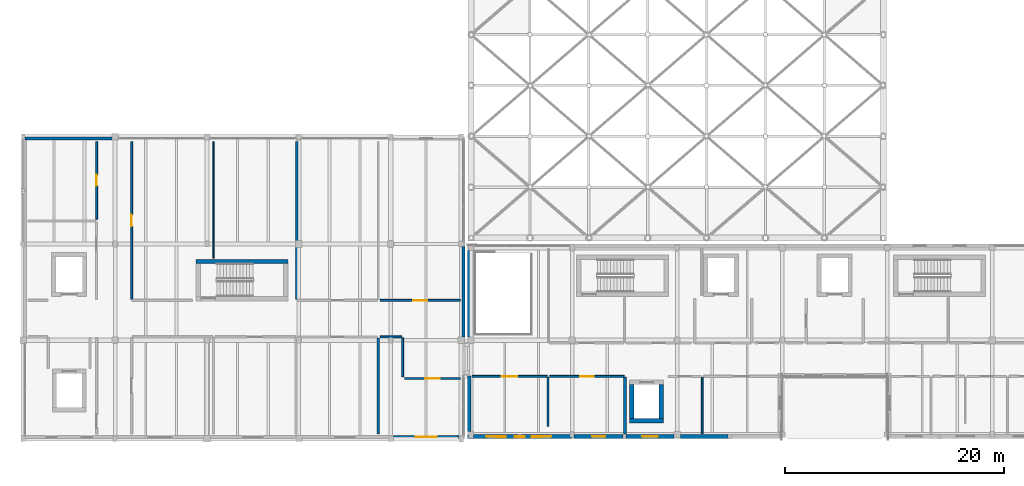
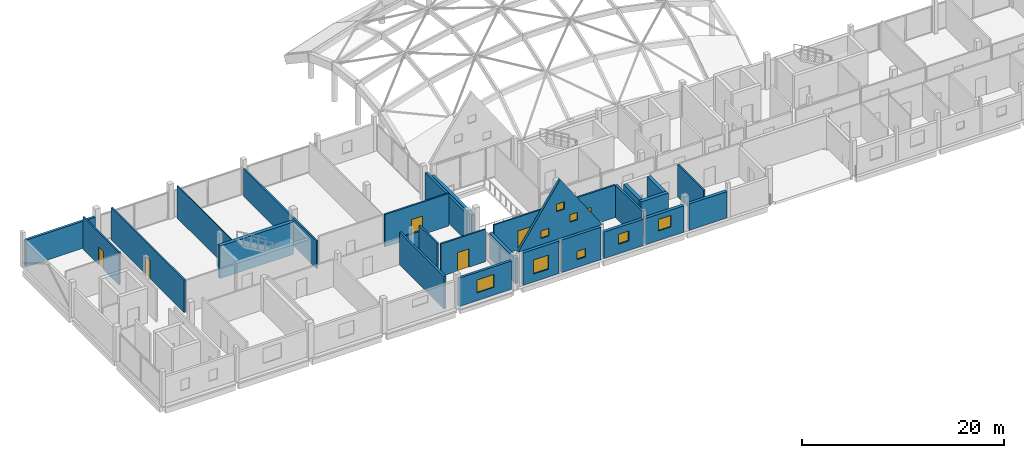
# One storey, part 24 of 41: 29 walls, 8 windows, 6 doors, 14 openings.
"""IFC4 building model written with IfcOpenShell, lengths in metres."""

from ifc_helpers import new_model, si_unit, direction, frame, frame_2d, origin, place, context, subcontext, project, spatial, polyline, rectangle, outline, extrude, material, layer, layer_set, type_object, element, fill, save


model = new_model("IFC4")

# Units and contexts
model_context = context("Model", 3, precision=1e-05, world=origin(), true_north=direction((0.0, 1.0)))
body_context = subcontext(model_context, "Body", "Model", "MODEL_VIEW")
ifc_project = project(units=[si_unit("LENGTHUNIT", "METRE"), si_unit("AREAUNIT", "SQUARE_METRE"), si_unit("VOLUMEUNIT", "CUBIC_METRE"), si_unit("PLANEANGLEUNIT", "RADIAN"), si_unit("MASSUNIT", "GRAM", prefix="KILO")], contexts=[model_context])

# Site, building, storey
site_placement = place(None, origin())
site = spatial("IfcSite", under=ifc_project, at=site_placement, CompositionType="ELEMENT")
building_placement = place(site_placement, origin())
building = spatial("IfcBuilding", under=site, at=building_placement, Name="Birchvale Park Specialist Clinic", CompositionType="ELEMENT")
storey_placement = place(building_placement, frame((0.0, 0.0, 9.60009765625)))
storey = spatial("IfcBuildingStorey", under=building, at=storey_placement, Name="L02", CompositionType="ELEMENT", Elevation=9.60009765625)

# Walls
ifc_material_1 = material(Name="Concrete C40/50", Category="concrete")
ifc_layer_1 = layer(ifc_material_1, 0.39990234375)
ifc_layer_set_1 = layer_set([ifc_layer_1], Name="Concrete C40/50")
wall_type_1 = type_object("IfcWallType", Name="WL-CW-120", PredefinedType="SHEAR", material=ifc_layer_set_1)
wall_1_placement = place(storey_placement, frame((35.39990234375, 33.0, 0.0), z_axis=(0.0, 0.0, 1.0), x_axis=(-1.0, 0.0, 0.0)))
element("IfcWall", 1, at=wall_1_placement, inside=storey, type_object=wall_type_1, Name="L02 stair ST2 EI 120 enclosure wall (north)", PredefinedType="SHEAR", context=body_context, shape_type="SweptSolid", body=[
    extrude(rectangle(XDim=8.39990234375, YDim=0.39990234375, at=frame_2d((4.199951171875, 0.0))), origin(), (0.0, 0.0, 1.0), 3.919921875),
])
for number, where, z_axis, x_axis, name in (
    (2, (66.64990234375, 18.449951171875, 0.0), (0.0, 0.0, 1.0), (1.0, 0.0, 0.0), "L02 lift LP1 shaft wall (south)"),
    (3, (66.85009765625, 18.64990234375, 0.0), (0.0, 0.0, 1.0), (0.0, 1.0, 0.0), "L02 lift LP1 shaft wall (west)"),
    (4, (69.550048828125, 21.75, 0.0), (0.0, 0.0, 1.0), (0.0, -1.0, 0.0), "L02 lift LP1 shaft wall (east)"),
):
    element("IfcWall", number, at=place(storey_placement, frame(where, z_axis=z_axis, x_axis=x_axis)), inside=storey, type_object=wall_type_1, Name=name, PredefinedType="SHEAR", context=body_context, shape_type="SweptSolid", body=[
        extrude(rectangle(XDim=3.10009765625, YDim=0.39990234375, at=frame_2d((1.550048828125, 0.0))), origin(), (0.0, 0.0, 1.0), 4.199951171875),
    ])

# Wall, opening, window
ifc_material_2 = material(Name="Lime-white mineral-rendered insulated masonry", Category="masonry")
ifc_layer_2 = layer(ifc_material_2, 0.340087890625)
ifc_layer_set_2 = layer_set([ifc_layer_2], Name="Lime-white mineral-rendered insulated masonry")
wall_type_2 = type_object("IfcWallType", Name="WL-EW-01", PredefinedType="STANDARD", material=ifc_layer_set_2)
wall_2_placement = place(storey_placement, frame((52.35498046875, 16.989990234375, 0.0), z_axis=(0.0, 0.0, 1.0), x_axis=(1.0, 0.0, 0.0)))
wall_2 = element("IfcWall", 5, at=wall_2_placement, inside=storey, type_object=wall_type_2, Name="V4 L02 exterior facade wall 189", PredefinedType="STANDARD", context=body_context, shape_type="SweptSolid", body=[
    extrude(rectangle(XDim=4.090087890625, YDim=0.340087890625, at=frame_2d((2.044921875, 0.0))), origin(), (0.0, 0.0, 1.0), 3.919921875),
])
opening_1_placement = place(wall_2_placement, frame((1.195068359375, 0.0, 0.949951171875)))
opening_1 = element("IfcOpeningElement", 6, at=opening_1_placement, cuts=wall_2, Name="Opening W-SQ17", PredefinedType="OPENING", context=body_context, shape_type="SweptSolid", body=[
    extrude(rectangle(XDim=1.699951171875, YDim=1.699951171875, at=frame_2d((0.85009765625, 0.85009765625))), frame((0.0, 0.18017578125, 0.0), z_axis=(0.0, -1.0, 0.0), x_axis=(1.0, 0.0, 0.0)), (0.0, 0.0, 1.0), 0.360107421875),
])
ifc_material_3 = material(Name="Solar-control low-E double glazing", Category="glass")
window_type_1 = type_object("IfcWindowType", Name="WIN-W-SQ17", PartitioningType="SINGLE_PANEL", PredefinedType="WINDOW", material=ifc_material_3)
window_1_placement = place(opening_1_placement, origin())
window_1 = element("IfcWindow", 7, at=window_1_placement, inside=storey, type_object=window_type_1, Name="V4 L02 cased window 64", OverallHeight=1.699951171875, OverallWidth=1.699951171875, PartitioningType="SINGLE_PANEL", PredefinedType="WINDOW", context=body_context, shape_type="SweptSolid", body=[
    extrude(rectangle(XDim=1.699951171875, YDim=1.699951171875, at=frame_2d((0.85009765625, 0.85009765625))), frame((0.0, 0.030029296875, 0.0), z_axis=(0.0, -1.0, 0.0), x_axis=(1.0, 0.0, 0.0)), (0.0, 0.0, 1.0), 0.06005859375),
])
fill(opening_1, window_1)

wall_3_placement = place(storey_placement, frame((56.7548828125, 16.989990234375, 0.0), z_axis=(0.0, 0.0, 1.0), x_axis=(1.0, 0.0, 0.0)))
wall_3 = element("IfcWall", 8, at=wall_3_placement, inside=storey, type_object=wall_type_2, Name="V4 L02 exterior facade wall 190", PredefinedType="STANDARD", context=body_context, shape_type="SweptSolid", body=[
    extrude(rectangle(XDim=4.465087890625, YDim=0.340087890625, at=frame_2d((2.232421875, 0.0))), origin(), (0.0, 0.0, 1.0), 3.919921875),
])
opening_2_placement = place(wall_3_placement, frame((1.732421875, 0.0, 0.949951171875)))
opening_2 = element("IfcOpeningElement", 9, at=opening_2_placement, cuts=wall_3, Name="Opening W-SQ10", PredefinedType="OPENING", context=body_context, shape_type="SweptSolid", body=[
    extrude(rectangle(XDim=1.0, YDim=1.0, at=frame_2d((0.5, 0.5))), frame((0.0, 0.18017578125, 0.0), z_axis=(0.0, -1.0, 0.0), x_axis=(1.0, 0.0, 0.0)), (0.0, 0.0, 1.0), 0.360107421875),
])
window_type_2 = type_object("IfcWindowType", Name="WIN-W-SQ10", PartitioningType="SINGLE_PANEL", PredefinedType="WINDOW", material=ifc_material_3)
window_2_placement = place(opening_2_placement, origin())
window_2 = element("IfcWindow", 10, at=window_2_placement, inside=storey, type_object=window_type_2, Name="V4 L02 cased window 65", OverallHeight=1.0, OverallWidth=1.0, PartitioningType="SINGLE_PANEL", PredefinedType="WINDOW", context=body_context, shape_type="SweptSolid", body=[
    extrude(rectangle(XDim=1.0, YDim=1.0, at=frame_2d((0.5, 0.5))), frame((0.0, 0.030029296875, 0.0), z_axis=(0.0, -1.0, 0.0), x_axis=(1.0, 0.0, 0.0)), (0.0, 0.0, 1.0), 0.06005859375),
])
fill(opening_2, window_2)

wall_4_placement = place(storey_placement, frame((61.580078125, 16.989990234375, 0.0), z_axis=(0.0, 0.0, 1.0), x_axis=(1.0, 0.0, 0.0)))
wall_4 = element("IfcWall", 11, at=wall_4_placement, inside=storey, type_object=wall_type_2, Name="V4 L02 exterior facade wall 191", PredefinedType="STANDARD", context=body_context, shape_type="SweptSolid", body=[
    extrude(rectangle(XDim=4.48486328125, YDim=0.340087890625, at=frame_2d((2.242431640625, 0.0))), origin(), (0.0, 0.0, 1.0), 3.184814453125),
])
opening_3_placement = place(wall_4_placement, frame((1.642578125, 0.0, 1.14990234375)))
opening_3 = element("IfcOpeningElement", 12, at=opening_3_placement, cuts=wall_4, Name="Opening W-SQ12", PredefinedType="OPENING", context=body_context, shape_type="SweptSolid", body=[
    extrude(rectangle(XDim=1.199951171875, YDim=1.199951171875, at=frame_2d((0.60009765625, 0.60009765625))), frame((0.0, 0.18017578125, 0.0), z_axis=(0.0, -1.0, 0.0), x_axis=(1.0, 0.0, 0.0)), (0.0, 0.0, 1.0), 0.360107421875),
])
window_type_3 = type_object("IfcWindowType", Name="WIN-W-SQ12", PartitioningType="SINGLE_PANEL", PredefinedType="WINDOW", material=ifc_material_3)
window_3_placement = place(opening_3_placement, origin())
window_3 = element("IfcWindow", 13, at=window_3_placement, inside=storey, type_object=window_type_3, Name="V4 L02 cased window 66", OverallHeight=1.199951171875, OverallWidth=1.199951171875, PartitioningType="SINGLE_PANEL", PredefinedType="WINDOW", context=body_context, shape_type="SweptSolid", body=[
    extrude(rectangle(XDim=1.199951171875, YDim=1.199951171875, at=frame_2d((0.60009765625, 0.60009765625))), frame((0.0, 0.030029296875, 0.0), z_axis=(0.0, -1.0, 0.0), x_axis=(1.0, 0.0, 0.0)), (0.0, 0.0, 1.0), 0.06005859375),
])
fill(opening_3, window_3)

wall_5_placement = place(storey_placement, frame((66.3349609375, 16.989990234375, 0.0), z_axis=(0.0, 0.0, 1.0), x_axis=(1.0, 0.0, 0.0)))
wall_5 = element("IfcWall", 14, at=wall_5_placement, inside=storey, type_object=wall_type_2, Name="V4 L02 exterior facade wall 192", PredefinedType="STANDARD", context=body_context, shape_type="SweptSolid", body=[
    extrude(rectangle(XDim=4.380126953125, YDim=0.340087890625, at=frame_2d((2.18994140625, 0.0))), origin(), (0.0, 0.0, 1.0), 3.184814453125),
])
opening_4_placement = place(wall_5_placement, frame((1.489990234375, 0.0, 1.14990234375)))
opening_4 = element("IfcOpeningElement", 15, at=opening_4_placement, cuts=wall_5, Name="Opening W-SQ14", PredefinedType="OPENING", context=body_context, shape_type="SweptSolid", body=[
    extrude(rectangle(XDim=1.39990234375, YDim=1.39990234375, at=frame_2d((0.699951171875, 0.699951171875))), frame((0.0, 0.18017578125, 0.0), z_axis=(0.0, -1.0, 0.0), x_axis=(1.0, 0.0, 0.0)), (0.0, 0.0, 1.0), 0.360107421875),
])
window_type_4 = type_object("IfcWindowType", Name="WIN-W-SQ14", PartitioningType="SINGLE_PANEL", PredefinedType="WINDOW", material=ifc_material_3)
window_4_placement = place(opening_4_placement, origin())
window_4 = element("IfcWindow", 16, at=window_4_placement, inside=storey, type_object=window_type_4, Name="V4 L02 cased window 67", OverallHeight=1.39990234375, OverallWidth=1.39990234375, PartitioningType="SINGLE_PANEL", PredefinedType="WINDOW", context=body_context, shape_type="SweptSolid", body=[
    extrude(rectangle(XDim=1.39990234375, YDim=1.39990234375, at=frame_2d((0.699951171875, 0.699951171875))), frame((0.0, 0.030029296875, 0.0), z_axis=(0.0, -1.0, 0.0), x_axis=(1.0, 0.0, 0.0)), (0.0, 0.0, 1.0), 0.06005859375),
])
fill(opening_4, window_4)

# Walls
wall_6_placement = place(storey_placement, frame((71.284912109375, 16.989990234375, 0.0), z_axis=(0.0, 0.0, 1.0), x_axis=(1.0, 0.0, 0.0)))
element("IfcWall", 17, at=wall_6_placement, inside=storey, type_object=wall_type_2, Name="V4 L02 exterior facade wall 193", PredefinedType="STANDARD", context=body_context, shape_type="SweptSolid", body=[
    extrude(rectangle(XDim=4.360107421875, YDim=0.340087890625, at=frame_2d((2.18017578125, 0.0))), origin(), (0.0, 0.0, 1.0), 3.184814453125),
])
wall_7_placement = place(storey_placement, frame((51.989990234375, 34.014892578125, 0.0), z_axis=(0.0, 0.0, 1.0), x_axis=(0.0, -1.0, 0.0)))
element("IfcWall", 18, at=wall_7_placement, inside=storey, type_object=wall_type_2, Name="V4 L02 exterior facade wall 210", PredefinedType="STANDARD", context=body_context, shape_type="SweptSolid", body=[
    extrude(rectangle(XDim=7.929931640625, YDim=0.340087890625, at=frame_2d((3.96484375, 0.0))), origin(), (0.0, 0.0, 1.0), 3.034912109375),
])
wall_8_placement = place(storey_placement, frame((51.989990234375, 22.550048828125, 0.0), z_axis=(0.0, 0.0, 1.0), x_axis=(0.0, -1.0, 0.0)))
element("IfcWall", 19, at=wall_8_placement, inside=storey, type_object=wall_type_2, Name="V4 L02 exterior facade wall 211", PredefinedType="STANDARD", context=body_context, shape_type="SweptSolid", body=[
    extrude(rectangle(XDim=5.114990234375, YDim=0.340087890625, at=frame_2d((2.5576171875, 0.0))), origin(), (0.0, 0.0, 1.0), 3.034912109375),
])

# Wall, openings, windows
ifc_layer_3 = layer(ifc_material_2, 0.31005859375)
ifc_layer_set_3 = layer_set([ifc_layer_3], Name="Lime-white mineral-rendered insulated masonry")
wall_type_3 = type_object("IfcWallType", Name="WL-EW-02", PredefinedType="STANDARD", material=ifc_layer_set_3)
wall_9_placement = place(storey_placement, frame((51.800048828125, 16.97509765625, 4.199951171875), z_axis=(0.0, 0.0, 1.0), x_axis=(1.0, 0.0, 0.0)))
wall_9 = element("IfcWall", 20, at=wall_9_placement, inside=storey, type_object=wall_type_3, Name="L03 white house-gable end wall Bay 1 S", PredefinedType="STANDARD", context=body_context, shape_type="SweptSolid", body=[
    extrude(outline(polyline([(0.0, 0.0), (9.599853515625, 0.0), (9.60009765625, 0.0), (4.800048828125, 7.08984375), (0.0, 0.0), (0.0, 0.0)])), frame((0.0, 0.155029296875, 0.0), z_axis=(0.0, -1.0, 0.0), x_axis=(1.0, 0.0, 0.0)), (0.0, 0.0, 1.0), 0.31005859375),
])
opening_5_placement = place(wall_9_placement, frame((2.6220703125, 0.0, 0.75)))
opening_5 = element("IfcOpeningElement", 21, at=opening_5_placement, cuts=wall_9, Name="Opening W-SQ09", PredefinedType="OPENING", context=body_context, shape_type="SweptSolid", body=[
    extrude(rectangle(XDim=0.89990234375, YDim=0.89990234375, at=frame_2d((0.449951171875, 0.449951171875))), frame((0.0, 0.1650390625, 0.0), z_axis=(0.0, -1.0, 0.0), x_axis=(1.0, 0.0, 0.0)), (0.0, 0.0, 1.0), 0.330078125),
])
opening_6_placement = place(wall_9_placement, frame((5.885986328125, 0.0, 1.550048828125)))
opening_6 = element("IfcOpeningElement", 22, at=opening_6_placement, cuts=wall_9, Name="Opening W-SQ09", PredefinedType="OPENING", context=body_context, shape_type="SweptSolid", body=[
    extrude(rectangle(XDim=0.89990234375, YDim=0.89990234375, at=frame_2d((0.449951171875, 0.449951171875))), frame((0.0, 0.1650390625, 0.0), z_axis=(0.0, -1.0, 0.0), x_axis=(1.0, 0.0, 0.0)), (0.0, 0.0, 1.0), 0.330078125),
])
opening_7_placement = place(wall_9_placement, frame((4.35009765625, 0.0, 3.35009765625)))
opening_7 = element("IfcOpeningElement", 23, at=opening_7_placement, cuts=wall_9, Name="Opening W-SQ09", PredefinedType="OPENING", context=body_context, shape_type="SweptSolid", body=[
    extrude(rectangle(XDim=0.89990234375, YDim=0.89990234375, at=frame_2d((0.449951171875, 0.449951171875))), frame((0.0, 0.1650390625, 0.0), z_axis=(0.0, -1.0, 0.0), x_axis=(1.0, 0.0, 0.0)), (0.0, 0.0, 1.0), 0.330078125),
])
window_type_5 = type_object("IfcWindowType", Name="WIN-W-SQ09", PartitioningType="SINGLE_PANEL", PredefinedType="WINDOW", material=ifc_material_3)
window_5_placement = place(opening_5_placement, origin())
window_5 = element("IfcWindow", 24, at=window_5_placement, inside=storey, type_object=window_type_5, Name="L03 gable square window Bay 1 S.1", OverallHeight=0.89990234375, OverallWidth=0.89990234375, PartitioningType="SINGLE_PANEL", PredefinedType="WINDOW", context=body_context, shape_type="SweptSolid", body=[
    extrude(rectangle(XDim=0.89990234375, YDim=0.89990234375, at=frame_2d((0.449951171875, 0.449951171875))), frame((0.0, 0.030029296875, 0.0), z_axis=(0.0, -1.0, 0.0), x_axis=(1.0, 0.0, 0.0)), (0.0, 0.0, 1.0), 0.06005859375),
])
fill(opening_5, window_5)
window_6_placement = place(opening_6_placement, origin())
window_6 = element("IfcWindow", 25, at=window_6_placement, inside=storey, type_object=window_type_5, Name="L03 gable square window Bay 1 S.2", OverallHeight=0.89990234375, OverallWidth=0.89990234375, PartitioningType="SINGLE_PANEL", PredefinedType="WINDOW", context=body_context, shape_type="SweptSolid", body=[
    extrude(rectangle(XDim=0.89990234375, YDim=0.89990234375, at=frame_2d((0.449951171875, 0.449951171875))), frame((0.0, 0.030029296875, 0.0), z_axis=(0.0, -1.0, 0.0), x_axis=(1.0, 0.0, 0.0)), (0.0, 0.0, 1.0), 0.06005859375),
])
fill(opening_6, window_6)
window_7_placement = place(opening_7_placement, origin())
window_7 = element("IfcWindow", 26, at=window_7_placement, inside=storey, type_object=window_type_5, Name="L03 gable square window Bay 1 S.3", OverallHeight=0.89990234375, OverallWidth=0.89990234375, PartitioningType="SINGLE_PANEL", PredefinedType="WINDOW", context=body_context, shape_type="SweptSolid", body=[
    extrude(rectangle(XDim=0.89990234375, YDim=0.89990234375, at=frame_2d((0.449951171875, 0.449951171875))), frame((0.0, 0.030029296875, 0.0), z_axis=(0.0, -1.0, 0.0), x_axis=(1.0, 0.0, 0.0)), (0.0, 0.0, 1.0), 0.06005859375),
])
fill(opening_7, window_7)

# Wall, opening, window
ifc_layer_4 = layer(ifc_material_2, 0.27001953125)
ifc_layer_set_4 = layer_set([ifc_layer_4], Name="Lime-white mineral-rendered insulated masonry")
wall_type_4 = type_object("IfcWallType", Name="WL-EW-04", PredefinedType="STANDARD", material=ifc_layer_set_4)
wall_10_placement = place(storey_placement, frame((45.044921875, 16.955078125, 0.0), z_axis=(0.0, 0.0, 1.0), x_axis=(1.0, 0.0, 0.0)))
wall_10 = element("IfcWall", 27, at=wall_10_placement, inside=storey, type_object=wall_type_4, Name="V2 L02 exterior facade wall 183", PredefinedType="STANDARD", context=body_context, shape_type="SweptSolid", body=[
    extrude(rectangle(XDim=6.0, YDim=0.27001953125, at=frame_2d((3.0, 0.0))), origin(), (0.0, 0.0, 1.0), 3.4248046875),
])
opening_8_placement = place(wall_10_placement, frame((2.02490234375, 0.0, 0.949951171875)))
opening_8 = element("IfcOpeningElement", 28, at=opening_8_placement, cuts=wall_10, Name="Opening W-CL17", PredefinedType="OPENING", context=body_context, shape_type="SweptSolid", body=[
    extrude(rectangle(XDim=1.949951171875, YDim=1.550048828125, at=frame_2d((0.97509765625, 0.77490234375))), frame((0.0, 0.14501953125, 0.0), z_axis=(0.0, -1.0, 0.0), x_axis=(1.0, 0.0, 0.0)), (0.0, 0.0, 1.0), 0.2900390625),
])
window_type_6 = type_object("IfcWindowType", Name="WIN-W-CL17", PartitioningType="SINGLE_PANEL", PredefinedType="WINDOW", material=ifc_material_3)
window_8_placement = place(opening_8_placement, origin())
window_8 = element("IfcWindow", 29, at=window_8_placement, inside=storey, type_object=window_type_6, Name="V2 L02 cased window 62", OverallHeight=1.550048828125, OverallWidth=1.949951171875, PartitioningType="SINGLE_PANEL", PredefinedType="WINDOW", context=body_context, shape_type="SweptSolid", body=[
    extrude(rectangle(XDim=1.949951171875, YDim=1.550048828125, at=frame_2d((0.97509765625, 0.77490234375))), frame((0.0, 0.030029296875, 0.0), z_axis=(0.0, -1.0, 0.0), x_axis=(1.0, 0.0, 0.0)), (0.0, 0.0, 1.0), 0.06005859375),
])
fill(opening_8, window_8)

# Walls
wall_11_placement = place(storey_placement, frame((51.445068359375, 26.0849609375, 0.0), z_axis=(0.0, 0.0, 1.0), x_axis=(0.0, 1.0, 0.0)))
element("IfcWall", 30, at=wall_11_placement, inside=storey, type_object=wall_type_4, Name="V2 L02 exterior facade wall 184", PredefinedType="STANDARD", context=body_context, shape_type="SweptSolid", body=[
    extrude(rectangle(XDim=8.280029296875, YDim=0.27001953125, at=frame_2d((4.14013671875, 0.0))), origin(), (0.0, 0.0, 1.0), 3.3349609375),
])
wall_12_placement = place(storey_placement, frame((19.304931640625, 44.2451171875, 0.0), z_axis=(0.0, 0.0, 1.0), x_axis=(-1.0, 0.0, 0.0)))
element("IfcWall", 31, at=wall_12_placement, inside=storey, type_object=wall_type_4, Name="V2 L02 exterior facade wall 186", PredefinedType="STANDARD", context=body_context, shape_type="SweptSolid", body=[
    extrude(rectangle(XDim=7.934814453125, YDim=0.27001953125, at=frame_2d((3.96728515625, 0.0))), origin(), (0.0, 0.0, 1.0), 3.2548828125),
])
ifc_material_4 = material(Name="Acoustic gypsum board on metal framing")
ifc_layer_5 = layer(ifc_material_4, 0.1650390625)
ifc_layer_set_5 = layer_set([ifc_layer_5], Name="Acoustic gypsum board on metal framing")
wall_type_5 = type_object("IfcWallType", Name="WL-IW-01", PredefinedType="PARTITIONING", material=ifc_layer_set_5)
wall_13_placement = place(storey_placement, frame((73.284912109375, 22.419921875, 0.0), z_axis=(0.0, 0.0, 1.0), x_axis=(0.0, -1.0, 0.0)))
element("IfcWall", 32, at=wall_13_placement, inside=storey, type_object=wall_type_5, Name="V4 L02 clinical partition 435", PredefinedType="PARTITIONING", context=body_context, shape_type="SweptSolid", body=[
    extrude(rectangle(XDim=5.179931640625, YDim=0.1650390625, at=frame_2d((2.58984375, 0.0))), origin(), (0.0, 0.0, 1.0), 3.919921875),
])
ifc_layer_6 = layer(ifc_material_4, 0.10009765625)
ifc_layer_set_6 = layer_set([ifc_layer_6], Name="Acoustic gypsum board on metal framing")
wall_type_6 = type_object("IfcWallType", Name="WL-IW-06", PredefinedType="PARTITIONING", material=ifc_layer_set_6)
wall_14_placement = place(storey_placement, frame((28.594970703125, 43.9599609375, 0.0), z_axis=(0.0, 0.0, 1.0), x_axis=(0.0, -1.0, 0.0)))
element("IfcWall", 33, at=wall_14_placement, inside=storey, type_object=wall_type_6, Name="V2 L02 clinical partition 425", PredefinedType="PARTITIONING", context=body_context, shape_type="SweptSolid", body=[
    extrude(rectangle(XDim=10.659912109375, YDim=0.10009765625, at=frame_2d((5.330078125, 0.0))), origin(), (0.0, 0.0, 1.0), 3.919921875),
])
ifc_layer_7 = layer(ifc_material_4, 0.195068359375)
ifc_layer_set_7 = layer_set([ifc_layer_7], Name="Acoustic gypsum board on metal framing")
wall_type_7 = type_object("IfcWallType", Name="WL-IW-07", PredefinedType="PARTITIONING", material=ifc_layer_set_7)
wall_15_placement = place(storey_placement, frame((36.2099609375, 29.530029296875, 0.0), z_axis=(0.0, 0.0, 1.0), x_axis=(0.0, 1.0, 0.0)))
element("IfcWall", 34, at=wall_15_placement, inside=storey, type_object=wall_type_7, Name="V2 L02 clinical partition 428", PredefinedType="PARTITIONING", context=body_context, shape_type="SweptSolid", body=[
    extrude(rectangle(XDim=14.429931640625, YDim=0.195068359375, at=frame_2d((7.21484375, 0.0))), origin(), (0.0, 0.0, 1.0), 3.304931640625),
])
wall_16_placement = place(storey_placement, frame((59.175048828125, 22.419921875, 0.0), z_axis=(0.0, 0.0, 1.0), x_axis=(0.0, -1.0, 0.0)))
element("IfcWall", 35, at=wall_16_placement, inside=storey, type_object=wall_type_7, Name="V4 L02 clinical partition 431", PredefinedType="PARTITIONING", context=body_context, shape_type="SweptSolid", body=[
    extrude(rectangle(XDim=4.530029296875, YDim=0.195068359375, at=frame_2d((2.26513671875, 0.0))), origin(), (0.0, 0.0, 1.0), 3.919921875),
])
ifc_layer_8 = layer(ifc_material_4, 0.239990234375)
ifc_layer_set_8 = layer_set([ifc_layer_8], Name="Acoustic gypsum board on metal framing")
wall_type_8 = type_object("IfcWallType", Name="WL-IW-08", PredefinedType="PARTITIONING", material=ifc_layer_set_8)
wall_17_placement = place(storey_placement, frame((43.6650390625, 26.02001953125, 0.0), z_axis=(0.0, 0.0, 1.0), x_axis=(0.0, -1.0, 0.0)))
element("IfcWall", 36, at=wall_17_placement, inside=storey, type_object=wall_type_8, Name="V2 L02 clinical partition 415", PredefinedType="PARTITIONING", context=body_context, shape_type="SweptSolid", body=[
    extrude(rectangle(XDim=8.780029296875, YDim=0.239990234375, at=frame_2d((4.39013671875, 0.0))), origin(), (0.0, 0.0, 1.0), 3.919921875),
])
wall_18_placement = place(storey_placement, frame((66.22998046875, 22.419921875, 0.0), z_axis=(0.0, 0.0, 1.0), x_axis=(0.0, -1.0, 0.0)))
element("IfcWall", 37, at=wall_18_placement, inside=storey, type_object=wall_type_8, Name="V4 L02 clinical partition 433", PredefinedType="PARTITIONING", context=body_context, shape_type="SweptSolid", body=[
    extrude(rectangle(XDim=5.179931640625, YDim=0.239990234375, at=frame_2d((2.58984375, 0.0))), origin(), (0.0, 0.0, 1.0), 3.919921875),
])
ifc_layer_9 = layer(ifc_material_4, 0.179931640625)
ifc_layer_set_9 = layer_set([ifc_layer_9], Name="Acoustic gypsum board on metal framing")
wall_type_9 = type_object("IfcWallType", Name="WL-IW-60", PredefinedType="PARTITIONING", material=ifc_layer_set_9)
wall_19_placement = place(storey_placement, frame((43.824951171875, 26.10009765625, 0.0), z_axis=(0.0, 0.0, 1.0), x_axis=(1.0, 0.0, 0.0)))
element("IfcWall", 38, at=wall_19_placement, inside=storey, type_object=wall_type_9, Name="V2 L02 clinical partition 416", PredefinedType="PARTITIONING", context=body_context, shape_type="SweptSolid", body=[
    extrude(rectangle(XDim=1.9951171875, YDim=0.179931640625, at=frame_2d((0.99755859375, 0.0))), origin(), (0.0, 0.0, 1.0), 3.224853515625),
])
wall_20_placement = place(storey_placement, frame((45.89990234375, 26.02001953125, 0.0), z_axis=(0.0, 0.0, 1.0), x_axis=(0.0, -1.0, 0.0)))
element("IfcWall", 39, at=wall_20_placement, inside=storey, type_object=wall_type_9, Name="V2 L02 clinical partition 417", PredefinedType="PARTITIONING", context=body_context, shape_type="SweptSolid", body=[
    extrude(rectangle(XDim=3.5400390625, YDim=0.179931640625, at=frame_2d((1.77001953125, 0.0))), origin(), (0.0, 0.0, 1.0), 3.919921875),
])

# Wall, opening, door
wall_21_placement = place(storey_placement, frame((46.080078125, 22.300048828125, 0.0), z_axis=(0.0, 0.0, 1.0), x_axis=(1.0, 0.0, 0.0)))
wall_21 = element("IfcWall", 40, at=wall_21_placement, inside=storey, type_object=wall_type_9, Name="V2 L02 clinical partition 418", PredefinedType="PARTITIONING", context=body_context, shape_type="SweptSolid", body=[
    extrude(rectangle(XDim=5.079833984375, YDim=0.179931640625, at=frame_2d((2.5400390625, 0.0))), origin(), (0.0, 0.0, 1.0), 3.919921875),
])
opening_9_placement = place(wall_21_placement, frame((1.8798828125, 0.0, 0.0)))
opening_9 = element("IfcOpeningElement", 41, at=opening_9_placement, cuts=wall_21, Name="Opening ID-12", PredefinedType="OPENING", context=body_context, shape_type="SweptSolid", body=[
    extrude(rectangle(XDim=1.320068359375, YDim=2.219970703125, at=frame_2d((0.66015625, 1.10986328125))), frame((0.0, 0.10009765625, 0.0), z_axis=(0.0, -1.0, 0.0), x_axis=(1.0, 0.0, 0.0)), (0.0, 0.0, 1.0), 0.199951171875),
])
ifc_material_5 = material(Name="Solid-core birch veneer and anodised aluminium", Category="aluminium")
door_type_1 = type_object("IfcDoorType", Name="DR-ID-12", OperationType="NOTDEFINED", PredefinedType="DOOR", material=ifc_material_5)
door_1_placement = place(opening_9_placement, origin())
door_1 = element("IfcDoor", 42, at=door_1_placement, inside=storey, type_object=door_type_1, Name="L02 Clinical Hematology Laboratory door", OperationType="SINGLE_SWING_LEFT", OverallHeight=2.219970703125, OverallWidth=1.320068359375, PredefinedType="DOOR", context=body_context, shape_type="SweptSolid", body=[
    extrude(rectangle(XDim=1.320068359375, YDim=2.219970703125, at=frame_2d((0.66015625, 1.10986328125))), frame((0.0, 0.02490234375, 0.0), z_axis=(0.0, -1.0, 0.0), x_axis=(1.0, 0.0, 0.0)), (0.0, 0.0, 1.0), 0.050048828125),
])
fill(opening_9, door_1)

wall_22_placement = place(storey_placement, frame((17.89990234375, 43.9599609375, 0.0), z_axis=(0.0, 0.0, 1.0), x_axis=(0.0, -1.0, 0.0)))
wall_22 = element("IfcWall", 43, at=wall_22_placement, inside=storey, type_object=wall_type_9, Name="V2 L02 clinical partition 422", PredefinedType="PARTITIONING", context=body_context, shape_type="SweptSolid", body=[
    extrude(rectangle(XDim=7.094970703125, YDim=0.179931640625, at=frame_2d((3.54736328125, 0.0))), origin(), (0.0, 0.0, 1.0), 3.919921875),
])
opening_10_placement = place(wall_22_placement, frame((3.047607421875, 0.0, 0.0)))
opening_10 = element("IfcOpeningElement", 44, at=opening_10_placement, cuts=wall_22, Name="Opening ID-01", PredefinedType="OPENING", context=body_context, shape_type="SweptSolid", body=[
    extrude(rectangle(XDim=1.0, YDim=2.14990234375, at=frame_2d((0.5, 1.074951171875))), frame((0.0, 0.10009765625, 0.0), z_axis=(0.0, -1.0, 0.0), x_axis=(1.0, 0.0, 0.0)), (0.0, 0.0, 1.0), 0.199951171875),
])
door_type_2 = type_object("IfcDoorType", Name="DR-ID-01", OperationType="NOTDEFINED", PredefinedType="DOOR", material=ifc_material_5)
door_2_placement = place(opening_10_placement, origin())
door_2 = element("IfcDoor", 45, at=door_2_placement, inside=storey, type_object=door_type_2, Name="L02 Outpatient Waiting Lounge door", OperationType="SINGLE_SWING_LEFT", OverallHeight=2.14990234375, OverallWidth=1.0, PredefinedType="DOOR", context=body_context, shape_type="SweptSolid", body=[
    extrude(rectangle(XDim=1.0, YDim=2.14990234375, at=frame_2d((0.5, 1.074951171875))), frame((0.0, 0.02490234375, 0.0), z_axis=(0.0, -1.0, 0.0), x_axis=(1.0, 0.0, 0.0)), (0.0, 0.0, 1.0), 0.050048828125),
])
fill(opening_10, door_2)

wall_23_placement = place(storey_placement, frame((21.10009765625, 29.530029296875, 0.0), z_axis=(0.0, 0.0, 1.0), x_axis=(0.0, 1.0, 0.0)))
wall_23 = element("IfcWall", 46, at=wall_23_placement, inside=storey, type_object=wall_type_9, Name="V2 L02 clinical partition 424", PredefinedType="PARTITIONING", context=body_context, shape_type="SweptSolid", body=[
    extrude(rectangle(XDim=14.429931640625, YDim=0.179931640625, at=frame_2d((7.21484375, 0.0))), origin(), (0.0, 0.0, 1.0), 3.919921875),
])
opening_11_placement = place(wall_23_placement, frame((6.695068359375, 0.0, 0.0)))
opening_11 = element("IfcOpeningElement", 47, at=opening_11_placement, cuts=wall_23, Name="Opening ID-02", PredefinedType="OPENING", context=body_context, shape_type="SweptSolid", body=[
    extrude(rectangle(XDim=1.0400390625, YDim=2.14990234375, at=frame_2d((0.52001953125, 1.074951171875))), frame((0.0, 0.10009765625, 0.0), z_axis=(0.0, -1.0, 0.0), x_axis=(1.0, 0.0, 0.0)), (0.0, 0.0, 1.0), 0.199951171875),
])
door_type_3 = type_object("IfcDoorType", Name="DR-ID-02", OperationType="NOTDEFINED", PredefinedType="DOOR", material=ifc_material_5)
door_3_placement = place(opening_11_placement, origin())
door_3 = element("IfcDoor", 48, at=door_3_placement, inside=storey, type_object=door_type_3, Name="L02 Microbiology Diagnostic Laboratory door", OperationType="SINGLE_SWING_RIGHT", OverallHeight=2.14990234375, OverallWidth=1.0400390625, PredefinedType="DOOR", context=body_context, shape_type="SweptSolid", body=[
    extrude(rectangle(XDim=1.0400390625, YDim=2.14990234375, at=frame_2d((0.52001953125, 1.074951171875))), frame((0.0, 0.02490234375, 0.0), z_axis=(0.0, -1.0, 0.0), x_axis=(1.0, 0.0, 0.0)), (0.0, 0.0, 1.0), 0.050048828125),
])
fill(opening_11, door_3)

wall_24_placement = place(storey_placement, frame((51.159912109375, 29.449951171875, 0.0), z_axis=(0.0, 0.0, 1.0), x_axis=(-1.0, 0.0, 0.0)))
wall_24 = element("IfcWall", 49, at=wall_24_placement, inside=storey, type_object=wall_type_9, Name="V2 L02 clinical partition 429", PredefinedType="PARTITIONING", context=body_context, shape_type="SweptSolid", body=[
    extrude(rectangle(XDim=7.3349609375, YDim=0.179931640625, at=frame_2d((3.66748046875, 0.0))), origin(), (0.0, 0.0, 1.0), 3.919921875),
])
opening_12_placement = place(wall_24_placement, frame((3.027587890625, 0.0, 0.0)))
opening_12 = element("IfcOpeningElement", 50, at=opening_12_placement, cuts=wall_24, Name="Opening ID-05", PredefinedType="OPENING", context=body_context, shape_type="SweptSolid", body=[
    extrude(rectangle(XDim=1.280029296875, YDim=2.25, at=frame_2d((0.64013671875, 1.125))), frame((0.0, 0.10009765625, 0.0), z_axis=(0.0, -1.0, 0.0), x_axis=(1.0, 0.0, 0.0)), (0.0, 0.0, 1.0), 0.199951171875),
])
door_type_4 = type_object("IfcDoorType", Name="DR-ID-05", OperationType="NOTDEFINED", PredefinedType="DOOR", material=ifc_material_5)
door_4_placement = place(opening_12_placement, origin())
door_4 = element("IfcDoor", 51, at=door_4_placement, inside=storey, type_object=door_type_4, Name="L02 Molecular Diagnostics Laboratory door", OperationType="SINGLE_SWING_RIGHT", OverallHeight=2.25, OverallWidth=1.280029296875, PredefinedType="DOOR", context=body_context, shape_type="SweptSolid", body=[
    extrude(rectangle(XDim=1.280029296875, YDim=2.25, at=frame_2d((0.64013671875, 1.125))), frame((0.0, 0.02490234375, 0.0), z_axis=(0.0, -1.0, 0.0), x_axis=(1.0, 0.0, 0.0)), (0.0, 0.0, 1.0), 0.050048828125),
])
fill(opening_12, door_4)

wall_25_placement = place(storey_placement, frame((52.239990234375, 22.5, 0.0), z_axis=(0.0, 0.0, 1.0), x_axis=(1.0, 0.0, 0.0)))
wall_25 = element("IfcWall", 52, at=wall_25_placement, inside=storey, type_object=wall_type_9, Name="V4 L02 clinical partition 430", PredefinedType="PARTITIONING", context=body_context, shape_type="SweptSolid", body=[
    extrude(rectangle(XDim=6.85498046875, YDim=0.179931640625, at=frame_2d((3.427490234375, 0.0))), origin(), (0.0, 0.0, 1.0), 3.919921875),
])
opening_13_placement = place(wall_25_placement, frame((2.737548828125, 0.0, 0.0)))
opening_13 = element("IfcOpeningElement", 53, at=opening_13_placement, cuts=wall_25, Name="Opening ID-06", PredefinedType="OPENING", context=body_context, shape_type="SweptSolid", body=[
    extrude(rectangle(XDim=1.3798828125, YDim=2.25, at=frame_2d((0.68994140625, 1.125))), frame((0.0, 0.10009765625, 0.0), z_axis=(0.0, -1.0, 0.0), x_axis=(1.0, 0.0, 0.0)), (0.0, 0.0, 1.0), 0.199951171875),
])
door_type_5 = type_object("IfcDoorType", Name="DR-ID-06", OperationType="NOTDEFINED", PredefinedType="DOOR", material=ifc_material_5)
door_5_placement = place(opening_13_placement, origin())
door_5 = element("IfcDoor", 54, at=door_5_placement, inside=storey, type_object=door_type_5, Name="L02 Cardiology Examination Clinic door", OperationType="SINGLE_SWING_LEFT", OverallHeight=2.25, OverallWidth=1.3798828125, PredefinedType="DOOR", context=body_context, shape_type="SweptSolid", body=[
    extrude(rectangle(XDim=1.3798828125, YDim=2.25, at=frame_2d((0.68994140625, 1.125))), frame((0.0, 0.02490234375, 0.0), z_axis=(0.0, -1.0, 0.0), x_axis=(1.0, 0.0, 0.0)), (0.0, 0.0, 1.0), 0.050048828125),
])
fill(opening_13, door_5)

wall_26_placement = place(storey_placement, frame((59.3349609375, 22.5, 0.0), z_axis=(0.0, 0.0, 1.0), x_axis=(1.0, 0.0, 0.0)))
wall_26 = element("IfcWall", 55, at=wall_26_placement, inside=storey, type_object=wall_type_9, Name="V4 L02 clinical partition 432", PredefinedType="PARTITIONING", context=body_context, shape_type="SweptSolid", body=[
    extrude(rectangle(XDim=6.81494140625, YDim=0.179931640625, at=frame_2d((3.407470703125, 0.0))), origin(), (0.0, 0.0, 1.0), 3.919921875),
])
opening_14_placement = place(wall_26_placement, frame((2.797607421875, 0.0, 0.0)))
opening_14 = element("IfcOpeningElement", 56, at=opening_14_placement, cuts=wall_26, Name="Opening ID-10", PredefinedType="OPENING", context=body_context, shape_type="SweptSolid", body=[
    extrude(rectangle(XDim=1.219970703125, YDim=2.179931640625, at=frame_2d((0.60986328125, 1.08984375))), frame((0.0, 0.10009765625, 0.0), z_axis=(0.0, -1.0, 0.0), x_axis=(1.0, 0.0, 0.0)), (0.0, 0.0, 1.0), 0.199951171875),
])
door_type_6 = type_object("IfcDoorType", Name="DR-ID-10", OperationType="NOTDEFINED", PredefinedType="DOOR", material=ifc_material_5)
door_6_placement = place(opening_14_placement, origin())
door_6 = element("IfcDoor", 57, at=door_6_placement, inside=storey, type_object=door_type_6, Name="L02 Pulmonology Diagnostic Clinic door", OperationType="SINGLE_SWING_RIGHT", OverallHeight=2.179931640625, OverallWidth=1.219970703125, PredefinedType="DOOR", context=body_context, shape_type="SweptSolid", body=[
    extrude(rectangle(XDim=1.219970703125, YDim=2.179931640625, at=frame_2d((0.60986328125, 1.08984375))), frame((0.0, 0.02490234375, 0.0), z_axis=(0.0, -1.0, 0.0), x_axis=(1.0, 0.0, 0.0)), (0.0, 0.0, 1.0), 0.050048828125),
])
fill(opening_14, door_6)

save(model, "model.ifc")
